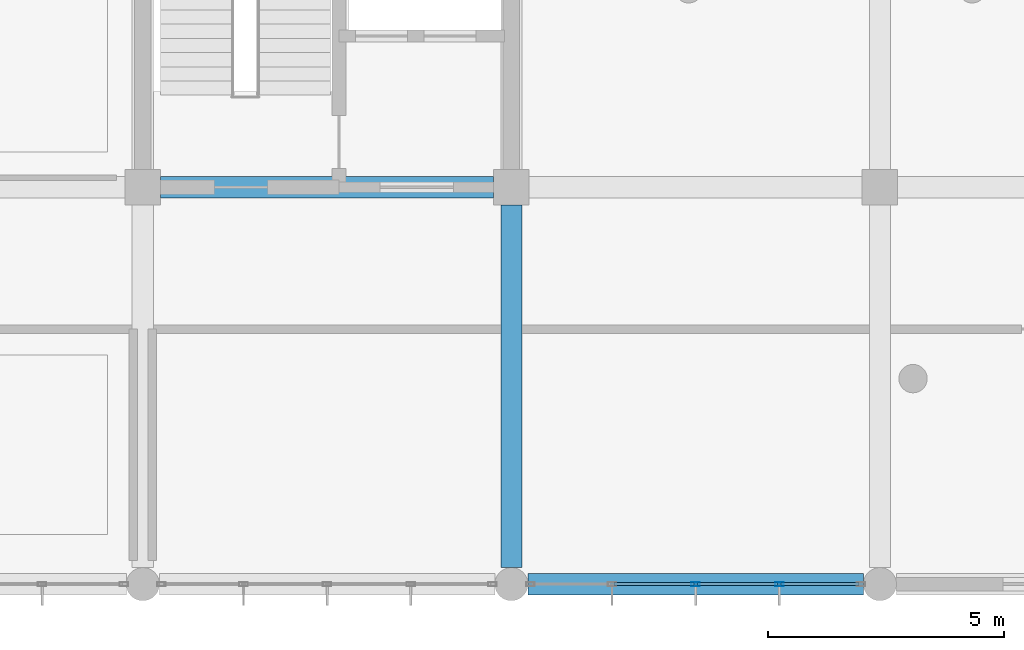
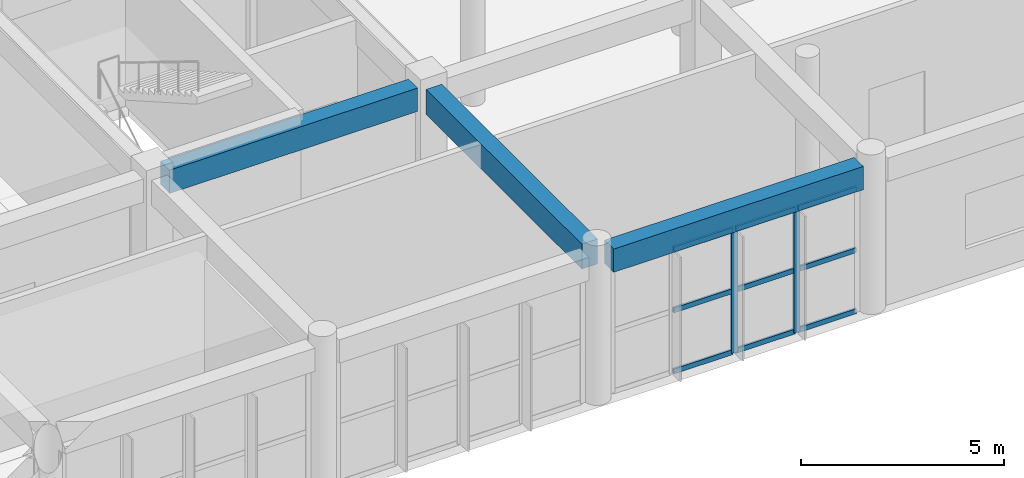
# One storey, part 31 of 167: 11 members, 3 beams, 1 element without a shape of its own.
"""IFC4 building model written with IfcOpenShell, lengths in metres."""

import ifcopenshell
import ifcopenshell.guid

model = None  # the IFC model being written
_history = None  # IfcOwnerHistory: only IFC2X3 demands one
_inside = {}  # id of a spatial element -> (the spatial element, [elements in it])
_under = {}  # id of a project, library or spatial element -> (it, [spatial elements below it])
_declared = {}  # id of a project -> (the project, [libraries it declares])
_typed = {}  # id of a type object -> (the type object, [elements of that type])
_made_of = {}  # id of a material, layer set ... -> (it, [elements and type objects made of it])


def new_model(schema):
    """Start an empty IFC model of exactly this schema.

    Asked for "IFC4X3", IfcOpenShell would pick the latest addendum, in which some entities
    have other attributes; the version numbers below select the first issue.
    IFC2X3 requires an IfcOwnerHistory on every rooted entity: one is made here for all.
    """
    global model, _history
    if schema == "IFC4X3":
        model = ifcopenshell.file(schema_version=(4, 3, 0, 0))
    else:
        model = ifcopenshell.file(schema=schema)
    _inside.clear()
    _under.clear()
    _declared.clear()
    _typed.clear()
    _made_of.clear()
    _history = None
    if model.schema == "IFC2X3":
        org = make("IfcOrganization", Name="unknown")
        user = make(
            "IfcPersonAndOrganization",
            ThePerson=make("IfcPerson", FamilyName="unknown"),
            TheOrganization=org,
        )
        app = make(
            "IfcApplication",
            ApplicationDeveloper=org,
            Version="unknown",
            ApplicationFullName="unknown",
            ApplicationIdentifier="unknown",
        )
        _history = make(
            "IfcOwnerHistory",
            OwningUser=user,
            OwningApplication=app,
            ChangeAction="ADDED",
            CreationDate=0,
        )
    return model


def make(cls, **values):
    """One entity of the class cls with the attributes given. An attribute that is None is left unset."""
    return model.create_entity(
        cls, **{name: value for name, value in values.items() if value is not None}
    )


def rooted(cls, **values):
    """An entity with a GlobalId (a new one), such as an element, a storey or a relation."""
    return make(cls, GlobalId=ifcopenshell.guid.new(), OwnerHistory=_history, **values)


def si_unit(unit_type, name, prefix=None):
    """IfcSIUnit, for example si_unit("LENGTHUNIT", "METRE", prefix="MILLI")."""
    return make("IfcSIUnit", UnitType=unit_type, Prefix=prefix, Name=name)


def assignment(units):
    """IfcUnitAssignment: the units of a project."""
    return None if units is None else make("IfcUnitAssignment", Units=units)


def point(xyz):
    """IfcCartesianPoint."""
    return None if xyz is None else make("IfcCartesianPoint", Coordinates=xyz)


def direction(xyz):
    """IfcDirection."""
    return None if xyz is None else make("IfcDirection", DirectionRatios=xyz)


def frame(location, z_axis=None, x_axis=None):
    """IfcAxis2Placement3D, a coordinate frame: its origin and axes. An axis left out is left unset."""
    return make(
        "IfcAxis2Placement3D",
        Location=point(location),
        Axis=direction(z_axis),
        RefDirection=direction(x_axis),
    )


def frame_2d(location, x_axis=None):
    """IfcAxis2Placement2D, a coordinate frame in the plane: its origin and x axis."""
    return make(
        "IfcAxis2Placement2D", Location=point(location), RefDirection=direction(x_axis)
    )


def origin():
    """The frame at (0, 0, 0) with its axes left unset."""
    return frame((0.0, 0.0, 0.0))


def origin_2d():
    """The frame at (0, 0) in the plane with its x axis left unset."""
    return frame_2d((0.0, 0.0))


def place(relative_to, where):
    """IfcLocalPlacement: puts the frame where relative to a parent placement (None: the world)."""
    return make(
        "IfcLocalPlacement", PlacementRelTo=relative_to, RelativePlacement=where
    )


def context(
    kind, dimensions, precision=None, world=None, true_north=None, identifier=None
):
    """IfcGeometricRepresentationContext, for example the 3D "Model" context."""
    return make(
        "IfcGeometricRepresentationContext",
        ContextIdentifier=identifier,
        ContextType=kind,
        CoordinateSpaceDimension=dimensions,
        Precision=precision,
        WorldCoordinateSystem=world,
        TrueNorth=true_north,
    )


def subcontext(parent, identifier, kind, view, scale=None):
    """IfcGeometricRepresentationSubContext, for example "Body" below "Model"."""
    return make(
        "IfcGeometricRepresentationSubContext",
        ContextIdentifier=identifier,
        ContextType=kind,
        ParentContext=parent,
        TargetScale=scale,
        TargetView=view,
    )


def project(units=None, contexts=None):
    """IfcProject with its units and contexts."""
    return rooted(
        "IfcProject",
        Name="project",
        RepresentationContexts=contexts,
        UnitsInContext=assignment(units),
    )


def spatial(cls, under=None, at=None, **own):
    """A site, building, storey or space (cls), placed at a placement, below another one or the project."""
    s = rooted(cls, ObjectPlacement=at, **own)
    if under is not None:
        _under.setdefault(under.id(), (under, []))[1].append(s)
    return s


def profile(cls, at=None, kind="AREA", **sizes):
    """A parametric profile (cls). Its sizes go by their IFC names, for example OverallWidth=200.0."""
    return make(cls, ProfileType=kind, Position=at, **sizes)


def rectangle(**sizes):
    """IfcRectangleProfileDef."""
    return profile("IfcRectangleProfileDef", **sizes)


def hollow_rectangle(**sizes):
    """IfcRectangleHollowProfileDef."""
    return profile("IfcRectangleHollowProfileDef", **sizes)


def extrude(swept, where, along, depth):
    """IfcExtrudedAreaSolid: the profile swept, set in the frame where, extruded along a direction by depth."""
    return make(
        "IfcExtrudedAreaSolid",
        SweptArea=swept,
        Position=where,
        ExtrudedDirection=direction(along),
        Depth=depth,
    )


def shape(context_of_items, identifier, shape_type, items):
    """IfcShapeRepresentation: the items that make up one representation, for example the "Body"."""
    return make(
        "IfcShapeRepresentation",
        ContextOfItems=context_of_items,
        RepresentationIdentifier=identifier,
        RepresentationType=shape_type,
        Items=items,
    )


def material(Name=None, Category=None):
    """IfcMaterial."""
    return make("IfcMaterial", Name=Name, Category=Category)


def layer(
    of_material, thickness, ventilated=None, Name=None, Category=None, Priority=None
):
    """IfcMaterialLayer: one layer of a wall or slab, of a material (None: an air gap)."""
    return make(
        "IfcMaterialLayer",
        Material=of_material,
        LayerThickness=thickness,
        IsVentilated=ventilated,
        Name=Name,
        Category=Category,
        Priority=Priority,
    )


def layer_set(layers, Name=None):
    """IfcMaterialLayerSet."""
    return make("IfcMaterialLayerSet", MaterialLayers=layers, LayerSetName=Name)


def material_profile(
    of_material, cross_section, Name=None, Category=None, Priority=None
):
    """IfcMaterialProfile: a cross section and its material."""
    return make(
        "IfcMaterialProfile",
        Name=Name,
        Material=of_material,
        Profile=cross_section,
        Priority=Priority,
        Category=Category,
    )


def profile_set(profiles, Name=None, composite=None):
    """IfcMaterialProfileSet."""
    return make(
        "IfcMaterialProfileSet",
        Name=Name,
        MaterialProfiles=profiles,
        CompositeProfile=composite,
    )


def made_of(thing, what):
    """Note that an element or type object is made of a material, layer set ...; save() writes the relation."""
    if what is not None:
        _made_of.setdefault(what.id(), (what, []))[1].append(thing)
    return thing


def type_object(cls, material=None, **own):
    """A type object (cls), such as IfcWallType, which elements share."""
    return made_of(rooted(cls, **own), material)


def element(
    cls,
    number,
    at=None,
    inside=None,
    cuts=None,
    type_object=None,
    material=None,
    context=None,
    identifier="Body",
    shape_type=None,
    held_by="IfcProductDefinitionShape",
    body=None,
    shapes=None,
    **own,
):
    """One element of the class cls, such as IfcWall. Its Tag is "e" and its number.

    at: its placement. inside: the storey or other place that contains it. cuts: it is an
    opening in that element (IfcRelVoidsElement). A single representation is given by context,
    identifier, shape_type and body (its items); several are given by shapes. held_by: the class
    of the entity that holds the representations. save() writes the other relations.
    """
    e = rooted(cls, Tag="e%d" % number, ObjectPlacement=at, **own)
    if body is not None:
        shapes = [shape(context, identifier, shape_type, body)]
    if shapes is not None:
        e.Representation = make(held_by, Representations=shapes)
    if inside is not None:
        _inside.setdefault(inside.id(), (inside, []))[1].append(e)
    if cuts is not None:
        rooted(
            "IfcRelVoidsElement", RelatingBuildingElement=cuts, RelatedOpeningElement=e
        )
    if type_object is not None:
        _typed.setdefault(type_object.id(), (type_object, []))[1].append(e)
    return made_of(e, material)


def aggregate(whole, parts):
    """IfcRelAggregates: a whole, such as a stair, and the parts it consists of."""
    return rooted("IfcRelAggregates", RelatingObject=whole, RelatedObjects=parts)


def save(model, path):
    """Write the relations noted so far, then the file.

    IfcRelAggregates (storeys below a building ...), IfcRelContainedInSpatialStructure (elements
    in a storey), IfcRelDefinesByType, IfcRelAssociatesMaterial and IfcRelDeclares: one each for
    every whole, place, type object, material and project.
    """
    for whole, parts in _under.values():
        aggregate(whole, parts)
    for where, things in _inside.values():
        rooted(
            "IfcRelContainedInSpatialStructure",
            RelatedElements=things,
            RelatingStructure=where,
        )
    for kind, things in _typed.values():
        rooted("IfcRelDefinesByType", RelatedObjects=things, RelatingType=kind)
    for what, things in _made_of.values():
        rooted("IfcRelAssociatesMaterial", RelatedObjects=things, RelatingMaterial=what)
    for by, libraries in _declared.values():
        rooted("IfcRelDeclares", RelatingContext=by, RelatedDefinitions=libraries)
    model.write(path)


model = new_model("IFC4")

# Units and contexts
model_context = context("Model", 3, precision=1e-05, world=origin(), true_north=direction((0.0, 1.0)))
body_context = subcontext(model_context, "Body", "Model", "MODEL_VIEW")
ifc_project = project(units=[si_unit("LENGTHUNIT", "METRE"), si_unit("AREAUNIT", "SQUARE_METRE"), si_unit("VOLUMEUNIT", "CUBIC_METRE"), si_unit("PLANEANGLEUNIT", "RADIAN"), si_unit("MASSUNIT", "GRAM", prefix="KILO")], contexts=[model_context])

# Site, building, storey
site_placement = place(None, origin())
site = spatial("IfcSite", under=ifc_project, at=site_placement, CompositionType="ELEMENT")
building_placement = place(site_placement, origin())
building = spatial("IfcBuilding", under=site, at=building_placement, Name="Zizhar Promenade General Hospital", CompositionType="ELEMENT")
storey_placement = place(building_placement, frame((0.0, 0.0, 9.60009765625)))
storey = spatial("IfcBuildingStorey", under=building, at=storey_placement, Name="L02", CompositionType="ELEMENT", Elevation=9.60009765625)

# Beams
ifc_material_1 = material(Name="Concrete C35/45", Category="concrete")
ifc_material_profile_1 = material_profile(ifc_material_1, rectangle(XDim=0.449951171875, YDim=0.699951171875, at=origin_2d()))
ifc_profile_set_1 = profile_set([ifc_material_profile_1], Name="Concrete C35/45")
beam_type_1 = type_object("IfcBeamType", Name="BM-RC-450x700", PredefinedType="BEAM", material=ifc_profile_set_1)
beam_1_placement = place(storey_placement, frame((93.97509765625, 8.39990234375, 4.119873046875), z_axis=(1.0, 0.0, 0.0), x_axis=(0.0, 1.0, 0.0)))
element("IfcBeam", 1, at=beam_1_placement, inside=storey, type_object=beam_type_1, Name="Grid Beam X L02 (12-1)", PredefinedType="BEAM", context=body_context, shape_type="SweptSolid", body=[
    extrude(rectangle(XDim=0.449951171875, YDim=0.699951171875, at=origin_2d()), origin(), (0.0, 0.0, 1.0), 7.0498046875),
])
beam_2_placement = place(storey_placement, frame((101.75, 0.0, 4.119873046875), z_axis=(1.0, 0.0, 0.0), x_axis=(0.0, 1.0, 0.0)))
element("IfcBeam", 2, at=beam_2_placement, inside=storey, type_object=beam_type_1, Name="Grid Beam X L02 (13-0)", PredefinedType="BEAM", context=body_context, shape_type="SweptSolid", body=[
    extrude(rectangle(XDim=0.449951171875, YDim=0.699951171875, at=origin_2d()), origin(), (0.0, 0.0, 1.0), 7.10009765625),
])
ifc_material_2 = material(Name="Concrete C35/45", Category="concrete")
ifc_material_profile_2 = material_profile(ifc_material_2, rectangle(XDim=0.449951171875, YDim=0.75, at=origin_2d()))
ifc_profile_set_2 = profile_set([ifc_material_profile_2], Name="Concrete C35/45")
beam_type_2 = type_object("IfcBeamType", Name="BM-RC-450x750", PredefinedType="BEAM", material=ifc_profile_set_2)
beam_3_placement = place(storey_placement, frame((101.39990234375, 0.35009765625, 4.094970703125), z_axis=(0.0, 1.0, 0.0), x_axis=(-1.0, 0.0, 0.0)))
element("IfcBeam", 3, at=beam_3_placement, inside=storey, type_object=beam_type_2, Name="Grid Beam Y L02 (13-0)", PredefinedType="BEAM", context=body_context, shape_type="SweptSolid", body=[
    extrude(rectangle(XDim=0.449951171875, YDim=0.75, at=origin_2d()), origin(), (0.0, 0.0, 1.0), 7.6748046875),
])

# Curtain wall, members
ifc_material_3 = material(Name="Anodised aluminium 6063-T6 and low-E glass", Category="aluminium")
ifc_layer = layer(ifc_material_3, 0.159912109375)
ifc_layer_set = layer_set([ifc_layer], Name="Anodised aluminium 6063-T6 and low-E glass")
curtain_wall_type = type_object("IfcCurtainWallType", Name="CW-DT-MOD1", PredefinedType="NOTDEFINED", material=ifc_layer_set)
curtain_wall_placement = place(storey_placement, origin())
curtain_wall = element("IfcCurtainWall", 4, at=curtain_wall_placement, inside=storey, type_object=curtain_wall_type, Name="Riverfront Clinical Curtain Wall L02-12", PredefinedType="NOTDEFINED")
ifc_material_4 = material(Name="Anodised aluminium 6063-T6", Category="aluminium")
ifc_material_profile_3 = material_profile(ifc_material_4, hollow_rectangle(XDim=0.080078125, YDim=0.179931640625, WallThickness=0.0048828125, at=origin_2d()))
ifc_profile_set_3 = profile_set([ifc_material_profile_3], Name="Anodised aluminium 6063-T6")
member_type_1 = type_object("IfcMemberType", Name="CWM-ALU-180x80", PredefinedType="MULLION", material=ifc_profile_set_3)
member_1_placement = place(storey_placement, frame((107.070068359375, 0.0, 0.0), z_axis=(0.0, 0.0, 1.0), x_axis=(0.0, -1.0, 0.0)))
member_1 = element("IfcMember", 5, at=member_1_placement, type_object=member_type_1, Name="CW-07 mullion 2", PredefinedType="MULLION", context=body_context, shape_type="SweptSolid", body=[
    extrude(hollow_rectangle(XDim=0.080078125, YDim=0.179931640625, WallThickness=0.0048828125, at=origin_2d()), origin(), (0.0, 0.0, 1.0), 3.72998046875),
])
member_2_placement = place(storey_placement, frame((105.300048828125, 0.0, 0.0), z_axis=(0.0, 0.0, 1.0), x_axis=(0.0, -1.0, 0.0)))
member_2 = element("IfcMember", 6, at=member_2_placement, type_object=member_type_1, Name="CW-07 mullion 3", PredefinedType="MULLION", context=body_context, shape_type="SweptSolid", body=[
    extrude(hollow_rectangle(XDim=0.080078125, YDim=0.179931640625, WallThickness=0.0048828125, at=origin_2d()), origin(), (0.0, 0.0, 1.0), 3.72998046875),
])
ifc_material_5 = material(Name="Anodised aluminium 6063-T6", Category="aluminium")
ifc_material_profile_4 = material_profile(ifc_material_5, hollow_rectangle(XDim=0.06005859375, YDim=0.14990234375, WallThickness=0.00390625, at=origin_2d()))
ifc_profile_set_4 = profile_set([ifc_material_profile_4], Name="Anodised aluminium 6063-T6")
member_type_2 = type_object("IfcMemberType", Name="CWT-ALU-150x60", PredefinedType="USERDEFINED", material=ifc_profile_set_4)
member_3_placement = place(storey_placement, frame((108.760009765625, 0.0, 0.02978515625), z_axis=(-1.0, 0.0, 0.0), x_axis=(0.0, -1.0, 0.0)))
member_3 = element("IfcMember", 7, at=member_3_placement, type_object=member_type_2, Name="CW-07 transom 1.1", ObjectType="TRANSOM", PredefinedType="USERDEFINED", context=body_context, shape_type="SweptSolid", body=[
    extrude(hollow_rectangle(XDim=0.06005859375, YDim=0.14990234375, WallThickness=0.00390625, at=origin_2d()), origin(), (0.0, 0.0, 1.0), 1.64990234375),
])
member_4_placement = place(storey_placement, frame((108.760009765625, 0.0, 1.864990234375), z_axis=(-1.0, 0.0, 0.0), x_axis=(0.0, -1.0, 0.0)))
member_4 = element("IfcMember", 8, at=member_4_placement, type_object=member_type_2, Name="CW-07 transom 1.2", ObjectType="TRANSOM", PredefinedType="USERDEFINED", context=body_context, shape_type="SweptSolid", body=[
    extrude(hollow_rectangle(XDim=0.06005859375, YDim=0.14990234375, WallThickness=0.00390625, at=origin_2d()), origin(), (0.0, 0.0, 1.0), 1.64990234375),
])
member_5_placement = place(storey_placement, frame((108.760009765625, 0.0, 3.699951171875), z_axis=(-1.0, 0.0, 0.0), x_axis=(0.0, -1.0, 0.0)))
member_5 = element("IfcMember", 9, at=member_5_placement, type_object=member_type_2, Name="CW-07 transom 1.3", ObjectType="TRANSOM", PredefinedType="USERDEFINED", context=body_context, shape_type="SweptSolid", body=[
    extrude(hollow_rectangle(XDim=0.06005859375, YDim=0.14990234375, WallThickness=0.00390625, at=origin_2d()), origin(), (0.0, 0.0, 1.0), 1.64990234375),
])
member_6_placement = place(storey_placement, frame((107.030029296875, 0.0, 0.02978515625), z_axis=(-1.0, 0.0, 0.0), x_axis=(0.0, -1.0, 0.0)))
member_6 = element("IfcMember", 10, at=member_6_placement, type_object=member_type_2, Name="CW-07 transom 2.1", ObjectType="TRANSOM", PredefinedType="USERDEFINED", context=body_context, shape_type="SweptSolid", body=[
    extrude(hollow_rectangle(XDim=0.06005859375, YDim=0.14990234375, WallThickness=0.00390625, at=origin_2d()), origin(), (0.0, 0.0, 1.0), 1.68994140625),
])
member_7_placement = place(storey_placement, frame((107.030029296875, 0.0, 1.864990234375), z_axis=(-1.0, 0.0, 0.0), x_axis=(0.0, -1.0, 0.0)))
member_7 = element("IfcMember", 11, at=member_7_placement, type_object=member_type_2, Name="CW-07 transom 2.2", ObjectType="TRANSOM", PredefinedType="USERDEFINED", context=body_context, shape_type="SweptSolid", body=[
    extrude(hollow_rectangle(XDim=0.06005859375, YDim=0.14990234375, WallThickness=0.00390625, at=origin_2d()), origin(), (0.0, 0.0, 1.0), 1.68994140625),
])
member_8_placement = place(storey_placement, frame((107.030029296875, 0.0, 3.699951171875), z_axis=(-1.0, 0.0, 0.0), x_axis=(0.0, -1.0, 0.0)))
member_8 = element("IfcMember", 12, at=member_8_placement, type_object=member_type_2, Name="CW-07 transom 2.3", ObjectType="TRANSOM", PredefinedType="USERDEFINED", context=body_context, shape_type="SweptSolid", body=[
    extrude(hollow_rectangle(XDim=0.06005859375, YDim=0.14990234375, WallThickness=0.00390625, at=origin_2d()), origin(), (0.0, 0.0, 1.0), 1.68994140625),
])
member_9_placement = place(storey_placement, frame((105.260009765625, 0.0, 0.02978515625), z_axis=(-1.0, 0.0, 0.0), x_axis=(0.0, -1.0, 0.0)))
member_9 = element("IfcMember", 13, at=member_9_placement, type_object=member_type_2, Name="CW-07 transom 3.1", ObjectType="TRANSOM", PredefinedType="USERDEFINED", context=body_context, shape_type="SweptSolid", body=[
    extrude(hollow_rectangle(XDim=0.06005859375, YDim=0.14990234375, WallThickness=0.00390625, at=origin_2d()), origin(), (0.0, 0.0, 1.0), 1.68994140625),
])
member_10_placement = place(storey_placement, frame((105.260009765625, 0.0, 1.864990234375), z_axis=(-1.0, 0.0, 0.0), x_axis=(0.0, -1.0, 0.0)))
member_10 = element("IfcMember", 14, at=member_10_placement, type_object=member_type_2, Name="CW-07 transom 3.2", ObjectType="TRANSOM", PredefinedType="USERDEFINED", context=body_context, shape_type="SweptSolid", body=[
    extrude(hollow_rectangle(XDim=0.06005859375, YDim=0.14990234375, WallThickness=0.00390625, at=origin_2d()), origin(), (0.0, 0.0, 1.0), 1.68994140625),
])
member_11_placement = place(storey_placement, frame((105.260009765625, 0.0, 3.699951171875), z_axis=(-1.0, 0.0, 0.0), x_axis=(0.0, -1.0, 0.0)))
member_11 = element("IfcMember", 15, at=member_11_placement, type_object=member_type_2, Name="CW-07 transom 3.3", ObjectType="TRANSOM", PredefinedType="USERDEFINED", context=body_context, shape_type="SweptSolid", body=[
    extrude(hollow_rectangle(XDim=0.06005859375, YDim=0.14990234375, WallThickness=0.00390625, at=origin_2d()), origin(), (0.0, 0.0, 1.0), 1.68994140625),
])
aggregate(curtain_wall, [member_1, member_2, member_3, member_4, member_5, member_6, member_7, member_8, member_9, member_10, member_11])

save(model, "model.ifc")
